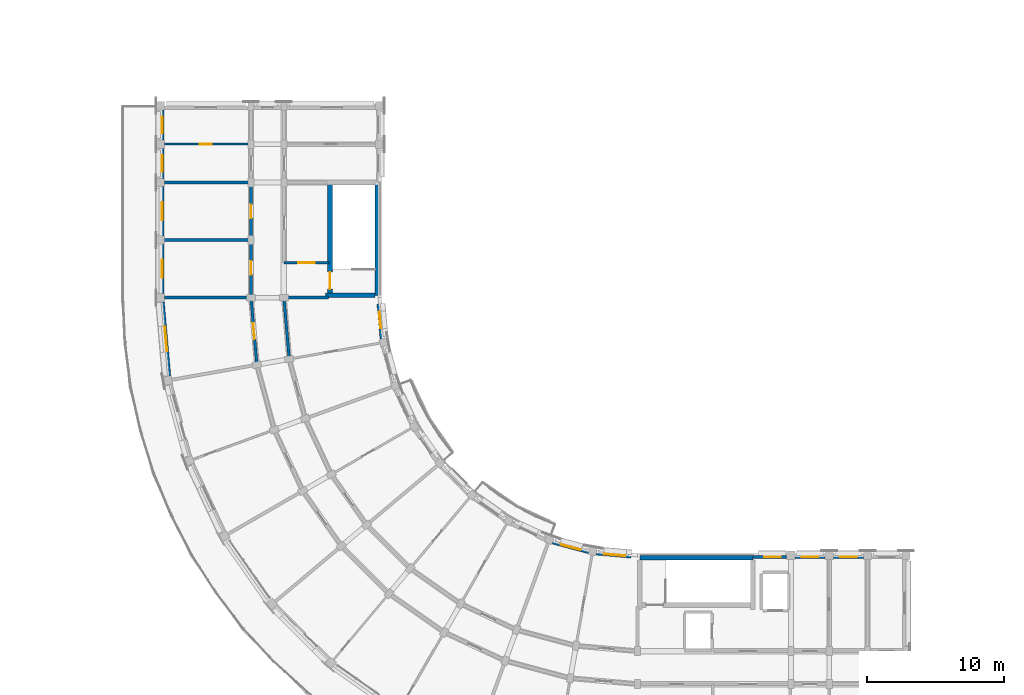
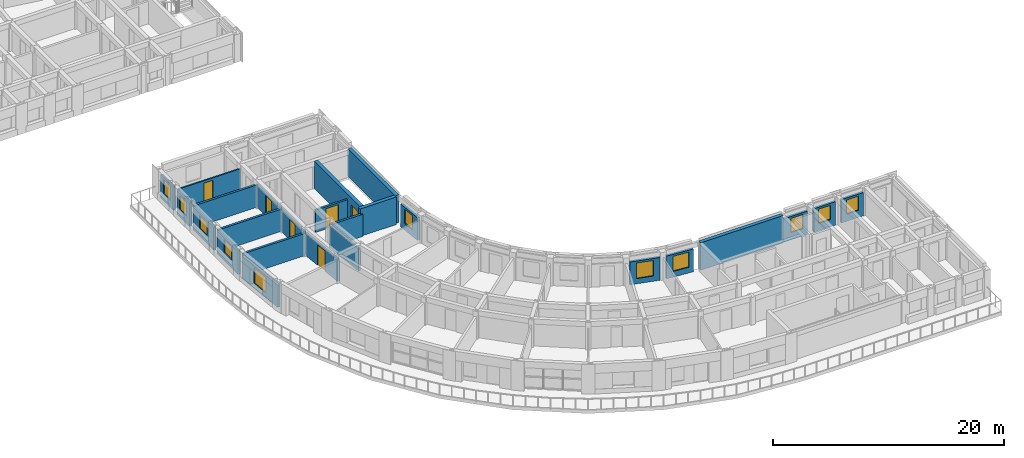
# One storey, part 19 of 53: 25 walls, 11 windows, 6 doors, 17 openings.
"""IFC4 building model written with IfcOpenShell, lengths in metres."""

from ifc_helpers import new_model, si_unit, direction, frame, frame_2d, origin, place, context, subcontext, project, spatial, rectangle, extrude, material, layer, layer_set, type_object, element, fill, save


model = new_model("IFC4")

# Units and contexts
model_context = context("Model", 3, precision=1e-05, world=origin(), true_north=direction((0.0, 1.0)))
body_context = subcontext(model_context, "Body", "Model", "MODEL_VIEW")
ifc_project = project(units=[si_unit("LENGTHUNIT", "METRE"), si_unit("AREAUNIT", "SQUARE_METRE"), si_unit("VOLUMEUNIT", "CUBIC_METRE"), si_unit("PLANEANGLEUNIT", "RADIAN"), si_unit("MASSUNIT", "GRAM", prefix="KILO")], contexts=[model_context])

# Site, building, storey
site_placement = place(None, origin())
site = spatial("IfcSite", under=ifc_project, at=site_placement, CompositionType="ELEMENT")
building_placement = place(site_placement, origin())
building = spatial("IfcBuilding", under=site, at=building_placement, Name="Kiranvali Square Residences", CompositionType="ELEMENT")
storey_placement = place(building_placement, frame((0.0, 0.0, 30.75)))
storey = spatial("IfcBuildingStorey", under=building, at=storey_placement, Name="L09", CompositionType="ELEMENT", Elevation=30.75)

# Wall, opening, door
ifc_material_1 = material(Name="Autoclaved aerated concrete blockwork masonry", Category="masonry")
ifc_layer_1 = layer(ifc_material_1, 0.199951171875)
ifc_layer_set_1 = layer_set([ifc_layer_1], Name="Autoclaved aerated concrete blockwork masonry")
wall_type_1 = type_object("IfcWallType", Name="WL-COR-200", PredefinedType="STANDARD", material=ifc_layer_set_1)
wall_1_placement = place(storey_placement, frame((25.699951171875, 50.75, 0.0), z_axis=(0.0, 0.0, 1.0), x_axis=(-1.0, 0.0, 0.0)))
wall_1 = element("IfcWall", 1, at=wall_1_placement, inside=storey, type_object=wall_type_1, Name="L09 architectural wall WL-L09-C-S3-V", PredefinedType="STANDARD", context=body_context, shape_type="SweptSolid", body=[
    extrude(rectangle(XDim=3.300048828125, YDim=0.199951171875, at=frame_2d((1.64990234375, 0.0))), origin(), (0.0, 0.0, 1.0), 2.35205078125),
])
opening_1_placement = place(wall_1_placement, frame((1.0400390625, 0.0, 0.0)))
opening_1 = element("IfcOpeningElement", 2, at=opening_1_placement, cuts=wall_1, Name="Opening FD-COR-60", PredefinedType="OPENING", context=body_context, shape_type="SweptSolid", body=[
    extrude(rectangle(XDim=1.219970703125, YDim=2.14990234375, at=frame_2d((0.60986328125, 1.074951171875))), frame((0.0, 0.10986328125, 0.0), z_axis=(0.0, -1.0, 0.0), x_axis=(1.0, 0.0, 0.0)), (0.0, 0.0, 1.0), 0.219970703125),
])
ifc_material_2 = material(Name="Fire-rated acoustic hardwood and mineral-core door assembly", Category="wood")
door_type_1 = type_object("IfcDoorType", Name="DR-FD60-1200", OperationType="NOTDEFINED", PredefinedType="DOOR", material=ifc_material_2)
door_1_placement = place(opening_1_placement, frame((1.219970703125, 0.0, 0.0), z_axis=(0.0, 0.0, 1.0), x_axis=(-1.0, 0.0, 0.0)))
door_1 = element("IfcDoor", 3, at=door_1_placement, inside=storey, type_object=door_type_1, Name="L09 door DR-L09-2264 (DR-FD60-1200)", OperationType="SINGLE_SWING_RIGHT", OverallHeight=2.14990234375, OverallWidth=1.219970703125, PredefinedType="DOOR", context=body_context, shape_type="SweptSolid", body=[
    extrude(rectangle(XDim=1.219970703125, YDim=2.14990234375, at=frame_2d((0.60986328125, 1.074951171875))), frame((0.0, 0.02490234375, 0.0), z_axis=(0.0, -1.0, 0.0), x_axis=(1.0, 0.0, 0.0)), (0.0, 0.0, 1.0), 0.050048828125),
])
fill(opening_1, door_1)

# Wall
wall_2_placement = place(storey_placement, frame((22.7919921875, 43.719970703125, 0.0), z_axis=(0.0, 0.0, 1.0), x_axis=(-0.087187153726, 0.996191949488, 0.0)))
element("IfcWall", 4, at=wall_2_placement, inside=storey, type_object=wall_type_1, Name="L09 architectural wall WL-L09-C-CCI-8", PredefinedType="STANDARD", context=body_context, shape_type="SweptSolid", body=[
    extrude(rectangle(XDim=4.4970703125, YDim=0.199951171875, at=frame_2d((2.24853515625, 0.0))), origin(), (0.0, 0.0, 1.0), 2.35205078125),
])

# Wall, opening, door
wall_3_placement = place(storey_placement, frame((20.428466796875, 43.30322265625, 0.0), z_axis=(0.0, 0.0, 1.0), x_axis=(-0.087167566415, 0.996193663584, 0.0)))
wall_3 = element("IfcWall", 5, at=wall_3_placement, inside=storey, type_object=wall_type_1, Name="L09 architectural wall WL-L09-C-CCO-8", PredefinedType="STANDARD", context=body_context, shape_type="SweptSolid", body=[
    extrude(rectangle(XDim=4.91552734375, YDim=0.199951171875, at=frame_2d((2.457763671875, 0.0))), origin(), (0.0, 0.0, 1.0), 2.35205078125),
])
opening_2_placement = place(wall_3_placement, frame((1.8876953125, 0.0, 0.0)))
opening_2 = element("IfcOpeningElement", 6, at=opening_2_placement, cuts=wall_3, Name="Opening FD-APT-60D", PredefinedType="OPENING", context=body_context, shape_type="SweptSolid", body=[
    extrude(rectangle(XDim=1.139892578125, YDim=2.14990234375, at=frame_2d((0.56982421875, 1.074951171875))), frame((0.0, 0.10986328125, 0.0), z_axis=(0.0, -1.0, 0.0), x_axis=(1.0, 0.0, 0.0)), (0.0, 0.0, 1.0), 0.219970703125),
])
door_type_2 = type_object("IfcDoorType", Name="DR-APT-1140", OperationType="NOTDEFINED", PredefinedType="DOOR", material=ifc_material_2)
door_2_placement = place(opening_2_placement, origin())
door_2 = element("IfcDoor", 7, at=door_2_placement, inside=storey, type_object=door_type_2, Name="L09 door DR-L09-2285 (DR-APT-1140)", OperationType="SINGLE_SWING_LEFT", OverallHeight=2.14990234375, OverallWidth=1.139892578125, PredefinedType="DOOR", context=body_context, shape_type="SweptSolid", body=[
    extrude(rectangle(XDim=1.139892578125, YDim=2.14990234375, at=frame_2d((0.56982421875, 1.074951171875))), frame((0.0, 0.02490234375, 0.0), z_axis=(0.0, -1.0, 0.0), x_axis=(1.0, 0.0, 0.0)), (0.0, 0.0, 1.0), 0.050048828125),
])
fill(opening_2, door_2)

wall_4_placement = place(storey_placement, frame((20.0, 48.35009765625, 0.0), z_axis=(0.0, 0.0, 1.0), x_axis=(0.0, 1.0, 0.0)))
wall_4 = element("IfcWall", 8, at=wall_4_placement, inside=storey, type_object=wall_type_1, Name="L09 architectural wall WL-L09-C-A2CF-C0", PredefinedType="STANDARD", context=body_context, shape_type="SweptSolid", body=[
    extrude(rectangle(XDim=4.0498046875, YDim=0.199951171875, at=frame_2d((2.02490234375, 0.0))), origin(), (0.0, 0.0, 1.0), 2.35205078125),
])
opening_3_placement = place(wall_4_placement, frame((1.52490234375, 0.0, 0.0)))
opening_3 = element("IfcOpeningElement", 9, at=opening_3_placement, cuts=wall_4, Name="Opening FD-APT-60", PredefinedType="OPENING", context=body_context, shape_type="SweptSolid", body=[
    extrude(rectangle(XDim=1.0, YDim=2.14990234375, at=frame_2d((0.5, 1.074951171875))), frame((0.0, 0.10986328125, 0.0), z_axis=(0.0, -1.0, 0.0), x_axis=(1.0, 0.0, 0.0)), (0.0, 0.0, 1.0), 0.219970703125),
])
door_type_3 = type_object("IfcDoorType", Name="DR-APT-1000", OperationType="NOTDEFINED", PredefinedType="DOOR", material=ifc_material_2)
door_3_placement = place(opening_3_placement, frame((1.0, 0.0, 0.0), z_axis=(0.0, 0.0, 1.0), x_axis=(-1.0, 0.0, 0.0)))
door_3 = element("IfcDoor", 10, at=door_3_placement, inside=storey, type_object=door_type_3, Name="L09 door DR-L09-2290 (DR-APT-1000)", OperationType="SINGLE_SWING_RIGHT", OverallHeight=2.14990234375, OverallWidth=1.0, PredefinedType="DOOR", context=body_context, shape_type="SweptSolid", body=[
    extrude(rectangle(XDim=1.0, YDim=2.14990234375, at=frame_2d((0.5, 1.074951171875))), frame((0.0, 0.02490234375, 0.0), z_axis=(0.0, -1.0, 0.0), x_axis=(1.0, 0.0, 0.0)), (0.0, 0.0, 1.0), 0.050048828125),
])
fill(opening_3, door_3)

wall_5_placement = place(storey_placement, frame((20.0, 52.39990234375, 0.0), z_axis=(0.0, 0.0, 1.0), x_axis=(0.0, 1.0, 0.0)))
wall_5 = element("IfcWall", 11, at=wall_5_placement, inside=storey, type_object=wall_type_1, Name="L09 architectural wall WL-L09-C-A2CF-C1", PredefinedType="STANDARD", context=body_context, shape_type="SweptSolid", body=[
    extrude(rectangle(XDim=4.2001953125, YDim=0.199951171875, at=frame_2d((2.10009765625, 0.0))), origin(), (0.0, 0.0, 1.0), 2.35205078125),
])
opening_4_placement = place(wall_5_placement, frame((1.60009765625, 0.0, 0.0)))
opening_4 = element("IfcOpeningElement", 12, at=opening_4_placement, cuts=wall_5, Name="Opening FD-APT-60", PredefinedType="OPENING", context=body_context, shape_type="SweptSolid", body=[
    extrude(rectangle(XDim=1.0, YDim=2.14990234375, at=frame_2d((0.5, 1.074951171875))), frame((0.0, 0.10986328125, 0.0), z_axis=(0.0, -1.0, 0.0), x_axis=(1.0, 0.0, 0.0)), (0.0, 0.0, 1.0), 0.219970703125),
])
door_4_placement = place(opening_4_placement, origin())
door_4 = element("IfcDoor", 13, at=door_4_placement, inside=storey, type_object=door_type_3, Name="L09 door DR-L09-2291 (DR-APT-1000)", OperationType="SINGLE_SWING_LEFT", OverallHeight=2.14990234375, OverallWidth=1.0, PredefinedType="DOOR", context=body_context, shape_type="SweptSolid", body=[
    extrude(rectangle(XDim=1.0, YDim=2.14990234375, at=frame_2d((0.5, 1.074951171875))), frame((0.0, 0.02490234375, 0.0), z_axis=(0.0, -1.0, 0.0), x_axis=(1.0, 0.0, 0.0)), (0.0, 0.0, 1.0), 0.050048828125),
])
fill(opening_4, door_4)

# Walls
ifc_layer_2 = layer(ifc_material_1, 0.219970703125)
ifc_layer_set_2 = layer_set([ifc_layer_2], Name="Autoclaved aerated concrete blockwork masonry")
wall_type_2 = type_object("IfcWallType", Name="WL-DEM-220", PredefinedType="STANDARD", material=ifc_layer_set_2)
wall_6_placement = place(storey_placement, frame((25.64990234375, 48.199951171875, 0.0), z_axis=(0.0, 0.0, 1.0), x_axis=(-1.0, 0.0, 0.0)))
element("IfcWall", 14, at=wall_6_placement, inside=storey, type_object=wall_type_2, Name="L09 architectural wall WL-L09-C-RADI-9", PredefinedType="STANDARD", context=body_context, shape_type="SweptSolid", body=[
    extrude(rectangle(XDim=3.199951171875, YDim=0.219970703125, at=frame_2d((1.60009765625, 0.0))), origin(), (0.0, 0.0, 1.0), 2.35205078125),
])
wall_7_placement = place(storey_placement, frame((19.89990234375, 48.199951171875, 0.0), z_axis=(0.0, 0.0, 1.0), x_axis=(-1.0, 0.0, 0.0)))
element("IfcWall", 15, at=wall_7_placement, inside=storey, type_object=wall_type_2, Name="L09 architectural wall WL-L09-C-RADO-9", PredefinedType="STANDARD", context=body_context, shape_type="SweptSolid", body=[
    extrude(rectangle(XDim=6.219970703125, YDim=0.219970703125, at=frame_2d((3.10986328125, 0.0))), origin(), (0.0, 0.0, 1.0), 2.35205078125),
])
wall_8_placement = place(storey_placement, frame((19.949951171875, 52.39990234375, 0.0), z_axis=(0.0, 0.0, 1.0), x_axis=(-1.0, 0.0, 0.0)))
element("IfcWall", 16, at=wall_8_placement, inside=storey, type_object=wall_type_2, Name="L09 architectural wall WL-L09-C-A2CF-MID", PredefinedType="STANDARD", context=body_context, shape_type="SweptSolid", body=[
    extrude(rectangle(XDim=6.329833984375, YDim=0.219970703125, at=frame_2d((3.1650390625, 0.0))), origin(), (0.0, 0.0, 1.0), 2.35205078125),
])
wall_9_placement = place(storey_placement, frame((19.89990234375, 56.60009765625, 0.0), z_axis=(0.0, 0.0, 1.0), x_axis=(-1.0, 0.0, 0.0)))
element("IfcWall", 17, at=wall_9_placement, inside=storey, type_object=wall_type_2, Name="L09 architectural wall WL-L09-C-A2TO-0", PredefinedType="STANDARD", context=body_context, shape_type="SweptSolid", body=[
    extrude(rectangle(XDim=6.219970703125, YDim=0.219970703125, at=frame_2d((3.10986328125, 0.0))), origin(), (0.0, 0.0, 1.0), 2.35205078125),
])

# Wall, opening, window
ifc_material_3 = material(Name="Breathable lime-rendered clay brick masonry", Category="masonry")
ifc_layer_3 = layer(ifc_material_3, 0.25)
ifc_layer_set_3 = layer_set([ifc_layer_3], Name="Breathable lime-rendered clay brick masonry")
wall_type_3 = type_object("IfcWallType", Name="WL-EXT-250", PredefinedType="STANDARD", material=ifc_layer_set_3)
wall_10_placement = place(storey_placement, frame((14.02490234375, 42.492431640625, 0.0), z_axis=(0.0, 0.0, 1.0), x_axis=(-0.087156882352, 0.996194598389, 0.0)))
wall_10 = element("IfcWall", 18, at=wall_10_placement, inside=storey, type_object=wall_type_3, Name="L09 exterior wall C-L09-CRV-08", PredefinedType="STANDARD", context=body_context, shape_type="SweptSolid", body=[
    extrude(rectangle(XDim=5.41455078125, YDim=0.25, at=frame_2d((2.707275390625, 0.0))), origin(), (0.0, 0.0, 1.0), 2.35205078125),
])
opening_5_placement = place(wall_10_placement, frame((1.807373046875, 0.0, 0.501953125)))
opening_5 = element("IfcOpeningElement", 19, at=opening_5_placement, cuts=wall_10, Name="Opening W-04", PredefinedType="OPENING", context=body_context, shape_type="SweptSolid", body=[
    extrude(rectangle(XDim=1.800048828125, YDim=1.64990234375, at=frame_2d((0.89990234375, 0.824951171875))), frame((0.0, 0.135009765625, 0.0), z_axis=(0.0, -1.0, 0.0), x_axis=(1.0, 0.0, 0.0)), (0.0, 0.0, 1.0), 0.27001953125),
])
ifc_material_4 = material(Name="Solar-control low-e double glazing", Category="glass")
window_type_1 = type_object("IfcWindowType", Name="WIN-RES-1800x1650", PartitioningType="DOUBLE_PANEL_VERTICAL", PredefinedType="WINDOW", material=ifc_material_4)
window_1_placement = place(opening_5_placement, origin())
window_1 = element("IfcWindow", 20, at=window_1_placement, inside=storey, type_object=window_type_1, Name="L09 recessed window C-L09-CRV-08", OverallHeight=1.64990234375, OverallWidth=1.800048828125, PartitioningType="DOUBLE_PANEL_VERTICAL", PredefinedType="WINDOW", context=body_context, shape_type="SweptSolid", body=[
    extrude(rectangle(XDim=1.800048828125, YDim=1.64990234375, at=frame_2d((0.89990234375, 0.824951171875))), frame((0.0, 0.030029296875, 0.0), z_axis=(0.0, -1.0, 0.0), x_axis=(1.0, 0.0, 0.0)), (0.0, 0.0, 1.0), 0.06005859375),
])
fill(opening_5, window_1)

wall_11_placement = place(storey_placement, frame((47.750732421875, 29.313720703125, 0.0), z_axis=(0.0, 0.0, 1.0), x_axis=(-0.996188847542, 0.087222589008, 0.0)))
wall_11 = element("IfcWall", 21, at=wall_11_placement, inside=storey, type_object=wall_type_3, Name="L09 exterior wall C-L09-GDN-00", PredefinedType="STANDARD", context=body_context, shape_type="SweptSolid", body=[
    extrude(rectangle(XDim=2.558349609375, YDim=0.25, at=frame_2d((1.279296875, 0.0))), origin(), (0.0, 0.0, 1.0), 2.402099609375),
])
opening_6_placement = place(wall_11_placement, frame((0.423583984375, 0.0, 0.60205078125)))
opening_6 = element("IfcOpeningElement", 22, at=opening_6_placement, cuts=wall_11, Name="Opening W-18", PredefinedType="OPENING", context=body_context, shape_type="SweptSolid", body=[
    extrude(rectangle(XDim=1.550048828125, YDim=1.60009765625, at=frame_2d((0.77490234375, 0.800048828125))), frame((0.0, 0.135009765625, 0.0), z_axis=(0.0, -1.0, 0.0), x_axis=(1.0, 0.0, 0.0)), (0.0, 0.0, 1.0), 0.27001953125),
])
window_type_2 = type_object("IfcWindowType", Name="WIN-GDN-1550x1600", PartitioningType="DOUBLE_PANEL_VERTICAL", PredefinedType="WINDOW", material=ifc_material_4)
window_2_placement = place(opening_6_placement, origin())
window_2 = element("IfcWindow", 23, at=window_2_placement, inside=storey, type_object=window_type_2, Name="L09 recessed window C-L09-GDN-00", OverallHeight=1.60009765625, OverallWidth=1.550048828125, PartitioningType="DOUBLE_PANEL_VERTICAL", PredefinedType="WINDOW", context=body_context, shape_type="SweptSolid", body=[
    extrude(rectangle(XDim=1.550048828125, YDim=1.60009765625, at=frame_2d((0.77490234375, 0.800048828125))), frame((0.0, 0.030029296875, 0.0), z_axis=(0.0, -1.0, 0.0), x_axis=(1.0, 0.0, 0.0)), (0.0, 0.0, 1.0), 0.06005859375),
])
fill(opening_6, window_2)

wall_12_placement = place(storey_placement, frame((44.6337890625, 29.636962890625, 0.0), z_axis=(0.0, 0.0, 1.0), x_axis=(-0.965928818058, 0.258807879411, 0.0)))
wall_12 = element("IfcWall", 24, at=wall_12_placement, inside=storey, type_object=wall_type_3, Name="L09 exterior wall C-L09-GDN-01", PredefinedType="STANDARD", context=body_context, shape_type="SweptSolid", body=[
    extrude(rectangle(XDim=2.7197265625, YDim=0.25, at=frame_2d((1.35986328125, 0.0))), origin(), (0.0, 0.0, 1.0), 2.402099609375),
])
opening_7_placement = place(wall_12_placement, frame((0.60986328125, 0.0, 0.552001953125)))
opening_7 = element("IfcOpeningElement", 25, at=opening_7_placement, cuts=wall_12, Name="Opening W-05", PredefinedType="OPENING", context=body_context, shape_type="SweptSolid", body=[
    extrude(rectangle(XDim=1.5, YDim=1.64990234375, at=frame_2d((0.75, 0.824951171875))), frame((0.0, 0.135009765625, 0.0), z_axis=(0.0, -1.0, 0.0), x_axis=(1.0, 0.0, 0.0)), (0.0, 0.0, 1.0), 0.27001953125),
])
window_type_3 = type_object("IfcWindowType", Name="WIN-RES-1500x1650", PartitioningType="DOUBLE_PANEL_VERTICAL", PredefinedType="WINDOW", material=ifc_material_4)
window_3_placement = place(opening_7_placement, origin())
window_3 = element("IfcWindow", 26, at=window_3_placement, inside=storey, type_object=window_type_3, Name="L09 recessed window C-L09-GDN-01", OverallHeight=1.64990234375, OverallWidth=1.5, PartitioningType="DOUBLE_PANEL_VERTICAL", PredefinedType="WINDOW", context=body_context, shape_type="SweptSolid", body=[
    extrude(rectangle(XDim=1.5, YDim=1.64990234375, at=frame_2d((0.75, 0.824951171875))), frame((0.0, 0.030029296875, 0.0), z_axis=(0.0, -1.0, 0.0), x_axis=(1.0, 0.0, 0.0)), (0.0, 0.0, 1.0), 0.06005859375),
])
fill(opening_7, window_3)

wall_13_placement = place(storey_placement, frame((29.536865234375, 45.2021484375, 0.0), z_axis=(0.0, 0.0, 1.0), x_axis=(-0.087222589008, 0.996188847542, 0.0)))
wall_13 = element("IfcWall", 27, at=wall_13_placement, inside=storey, type_object=wall_type_3, Name="L09 exterior wall C-L09-GDN-08", PredefinedType="STANDARD", context=body_context, shape_type="SweptSolid", body=[
    extrude(rectangle(XDim=2.558349609375, YDim=0.25, at=frame_2d((1.279296875, 0.0))), origin(), (0.0, 0.0, 1.0), 2.402099609375),
])
opening_8_placement = place(wall_13_placement, frame((0.759765625, 0.0, 0.701904296875)))
opening_8 = element("IfcOpeningElement", 28, at=opening_8_placement, cuts=wall_13, Name="Opening W-06", PredefinedType="OPENING", context=body_context, shape_type="SweptSolid", body=[
    extrude(rectangle(XDim=1.199951171875, YDim=1.5, at=frame_2d((0.60009765625, 0.75))), frame((0.0, 0.135009765625, 0.0), z_axis=(0.0, -1.0, 0.0), x_axis=(1.0, 0.0, 0.0)), (0.0, 0.0, 1.0), 0.27001953125),
])
window_type_4 = type_object("IfcWindowType", Name="WIN-RES-1200x1500", PartitioningType="SINGLE_PANEL", PredefinedType="WINDOW", material=ifc_material_4)
window_4_placement = place(opening_8_placement, origin())
window_4 = element("IfcWindow", 29, at=window_4_placement, inside=storey, type_object=window_type_4, Name="L09 recessed window C-L09-GDN-08", OverallHeight=1.5, OverallWidth=1.199951171875, PartitioningType="SINGLE_PANEL", PredefinedType="WINDOW", context=body_context, shape_type="SweptSolid", body=[
    extrude(rectangle(XDim=1.199951171875, YDim=1.5, at=frame_2d((0.60009765625, 0.75))), frame((0.0, 0.030029296875, 0.0), z_axis=(0.0, -1.0, 0.0), x_axis=(1.0, 0.0, 0.0)), (0.0, 0.0, 1.0), 0.06005859375),
])
fill(opening_8, window_4)

wall_14_placement = place(storey_placement, frame((56.62841796875, 29.27490234375, 0.0), z_axis=(0.0, 0.0, 1.0), x_axis=(1.0, 0.0, 0.0)))
wall_14 = element("IfcWall", 30, at=wall_14_placement, inside=storey, type_object=wall_type_3, Name="L09 exterior wall C-L09-A1IN-0", PredefinedType="STANDARD", context=body_context, shape_type="SweptSolid", body=[
    extrude(rectangle(XDim=2.468017578125, YDim=0.25, at=frame_2d((1.23388671875, 0.0))), origin(), (0.0, 0.0, 1.0), 2.451904296875),
])
opening_9_placement = place(wall_14_placement, frame((0.821533203125, 0.0, 0.751953125)))
opening_9 = element("IfcOpeningElement", 31, at=opening_9_placement, cuts=wall_14, Name="Opening W-06", PredefinedType="OPENING", context=body_context, shape_type="SweptSolid", body=[
    extrude(rectangle(XDim=1.199951171875, YDim=1.5, at=frame_2d((0.60009765625, 0.75))), frame((0.0, 0.135009765625, 0.0), z_axis=(0.0, -1.0, 0.0), x_axis=(1.0, 0.0, 0.0)), (0.0, 0.0, 1.0), 0.27001953125),
])
window_5_placement = place(opening_9_placement, origin())
window_5 = element("IfcWindow", 32, at=window_5_placement, inside=storey, type_object=window_type_4, Name="L09 recessed window C-L09-A1IN-0", OverallHeight=1.5, OverallWidth=1.199951171875, PartitioningType="SINGLE_PANEL", PredefinedType="WINDOW", context=body_context, shape_type="SweptSolid", body=[
    extrude(rectangle(XDim=1.199951171875, YDim=1.5, at=frame_2d((0.60009765625, 0.75))), frame((0.0, 0.030029296875, 0.0), z_axis=(0.0, -1.0, 0.0), x_axis=(1.0, 0.0, 0.0)), (0.0, 0.0, 1.0), 0.06005859375),
])
fill(opening_9, window_5)

wall_15_placement = place(storey_placement, frame((59.70361328125, 29.27490234375, 0.0), z_axis=(0.0, 0.0, 1.0), x_axis=(1.0, 0.0, 0.0)))
wall_15 = element("IfcWall", 33, at=wall_15_placement, inside=storey, type_object=wall_type_3, Name="L09 exterior wall C-L09-A1I-0", PredefinedType="STANDARD", context=body_context, shape_type="SweptSolid", body=[
    extrude(rectangle(XDim=2.19287109375, YDim=0.25, at=frame_2d((1.096435546875, 0.0))), origin(), (0.0, 0.0, 1.0), 2.451904296875),
])
opening_10_placement = place(wall_15_placement, frame((0.49658203125, 0.0, 0.751953125)))
opening_10 = element("IfcOpeningElement", 34, at=opening_10_placement, cuts=wall_15, Name="Opening W-06", PredefinedType="OPENING", context=body_context, shape_type="SweptSolid", body=[
    extrude(rectangle(XDim=1.199951171875, YDim=1.5, at=frame_2d((0.60009765625, 0.75))), frame((0.0, 0.135009765625, 0.0), z_axis=(0.0, -1.0, 0.0), x_axis=(1.0, 0.0, 0.0)), (0.0, 0.0, 1.0), 0.27001953125),
])
window_6_placement = place(opening_10_placement, origin())
window_6 = element("IfcWindow", 35, at=window_6_placement, inside=storey, type_object=window_type_4, Name="L09 recessed window C-L09-A1I-0", OverallHeight=1.5, OverallWidth=1.199951171875, PartitioningType="SINGLE_PANEL", PredefinedType="WINDOW", context=body_context, shape_type="SweptSolid", body=[
    extrude(rectangle(XDim=1.199951171875, YDim=1.5, at=frame_2d((0.60009765625, 0.75))), frame((0.0, 0.030029296875, 0.0), z_axis=(0.0, -1.0, 0.0), x_axis=(1.0, 0.0, 0.0)), (0.0, 0.0, 1.0), 0.06005859375),
])
fill(opening_10, window_6)

wall_16_placement = place(storey_placement, frame((62.50341796875, 29.27490234375, 0.0), z_axis=(0.0, 0.0, 1.0), x_axis=(1.0, 0.0, 0.0)))
wall_16 = element("IfcWall", 36, at=wall_16_placement, inside=storey, type_object=wall_type_3, Name="L09 exterior wall C-L09-A1I-1", PredefinedType="STANDARD", context=body_context, shape_type="SweptSolid", body=[
    extrude(rectangle(XDim=2.193115234375, YDim=0.25, at=frame_2d((1.0966796875, 0.0))), origin(), (0.0, 0.0, 1.0), 2.451904296875),
])
opening_11_placement = place(wall_16_placement, frame((0.49658203125, 0.0, 0.751953125)))
opening_11 = element("IfcOpeningElement", 37, at=opening_11_placement, cuts=wall_16, Name="Opening W-06", PredefinedType="OPENING", context=body_context, shape_type="SweptSolid", body=[
    extrude(rectangle(XDim=1.199951171875, YDim=1.5, at=frame_2d((0.60009765625, 0.75))), frame((0.0, 0.135009765625, 0.0), z_axis=(0.0, -1.0, 0.0), x_axis=(1.0, 0.0, 0.0)), (0.0, 0.0, 1.0), 0.27001953125),
])
window_7_placement = place(opening_11_placement, origin())
window_7 = element("IfcWindow", 38, at=window_7_placement, inside=storey, type_object=window_type_4, Name="L09 recessed window C-L09-A1I-1", OverallHeight=1.5, OverallWidth=1.199951171875, PartitioningType="SINGLE_PANEL", PredefinedType="WINDOW", context=body_context, shape_type="SweptSolid", body=[
    extrude(rectangle(XDim=1.199951171875, YDim=1.5, at=frame_2d((0.60009765625, 0.75))), frame((0.0, 0.030029296875, 0.0), z_axis=(0.0, -1.0, 0.0), x_axis=(1.0, 0.0, 0.0)), (0.0, 0.0, 1.0), 0.06005859375),
])
fill(opening_11, window_7)

wall_17_placement = place(storey_placement, frame((13.52490234375, 48.50341796875, 0.0), z_axis=(0.0, 0.0, 1.0), x_axis=(0.0, 1.0, 0.0)))
wall_17 = element("IfcWall", 39, at=wall_17_placement, inside=storey, type_object=wall_type_3, Name="L09 exterior wall C-L09-A2O-0", PredefinedType="STANDARD", context=body_context, shape_type="SweptSolid", body=[
    extrude(rectangle(XDim=3.593017578125, YDim=0.25, at=frame_2d((1.79638671875, 0.0))), origin(), (0.0, 0.0, 1.0), 2.451904296875),
])
opening_12_placement = place(wall_17_placement, frame((1.146484375, 0.0, 0.85205078125)))
opening_12 = element("IfcOpeningElement", 40, at=opening_12_placement, cuts=wall_17, Name="Opening W-23", PredefinedType="OPENING", context=body_context, shape_type="SweptSolid", body=[
    extrude(rectangle(XDim=1.300048828125, YDim=1.39990234375, at=frame_2d((0.64990234375, 0.699951171875))), frame((0.0, 0.135009765625, 0.0), z_axis=(0.0, -1.0, 0.0), x_axis=(1.0, 0.0, 0.0)), (0.0, 0.0, 1.0), 0.27001953125),
])
window_type_5 = type_object("IfcWindowType", Name="WIN-COR-1300x1400", PartitioningType="DOUBLE_PANEL_HORIZONTAL", PredefinedType="WINDOW", material=ifc_material_4)
window_8_placement = place(opening_12_placement, origin())
window_8 = element("IfcWindow", 41, at=window_8_placement, inside=storey, type_object=window_type_5, Name="L09 recessed window C-L09-A2O-0", OverallHeight=1.39990234375, OverallWidth=1.300048828125, PartitioningType="DOUBLE_PANEL_HORIZONTAL", PredefinedType="WINDOW", context=body_context, shape_type="SweptSolid", body=[
    extrude(rectangle(XDim=1.300048828125, YDim=1.39990234375, at=frame_2d((0.64990234375, 0.699951171875))), frame((0.0, 0.030029296875, 0.0), z_axis=(0.0, -1.0, 0.0), x_axis=(1.0, 0.0, 0.0)), (0.0, 0.0, 1.0), 0.06005859375),
])
fill(opening_12, window_8)

wall_18_placement = place(storey_placement, frame((13.52490234375, 52.70361328125, 0.0), z_axis=(0.0, 0.0, 1.0), x_axis=(0.0, 1.0, 0.0)))
wall_18 = element("IfcWall", 42, at=wall_18_placement, inside=storey, type_object=wall_type_3, Name="L09 exterior wall C-L09-A2O-1", PredefinedType="STANDARD", context=body_context, shape_type="SweptSolid", body=[
    extrude(rectangle(XDim=3.5927734375, YDim=0.25, at=frame_2d((1.79638671875, 0.0))), origin(), (0.0, 0.0, 1.0), 2.451904296875),
])
opening_13_placement = place(wall_18_placement, frame((1.146484375, 0.0, 0.85205078125)))
opening_13 = element("IfcOpeningElement", 43, at=opening_13_placement, cuts=wall_18, Name="Opening W-23", PredefinedType="OPENING", context=body_context, shape_type="SweptSolid", body=[
    extrude(rectangle(XDim=1.300048828125, YDim=1.39990234375, at=frame_2d((0.64990234375, 0.699951171875))), frame((0.0, 0.135009765625, 0.0), z_axis=(0.0, -1.0, 0.0), x_axis=(1.0, 0.0, 0.0)), (0.0, 0.0, 1.0), 0.27001953125),
])
window_9_placement = place(opening_13_placement, origin())
window_9 = element("IfcWindow", 44, at=window_9_placement, inside=storey, type_object=window_type_5, Name="L09 recessed window C-L09-A2O-1", OverallHeight=1.39990234375, OverallWidth=1.300048828125, PartitioningType="DOUBLE_PANEL_HORIZONTAL", PredefinedType="WINDOW", context=body_context, shape_type="SweptSolid", body=[
    extrude(rectangle(XDim=1.300048828125, YDim=1.39990234375, at=frame_2d((0.64990234375, 0.699951171875))), frame((0.0, 0.030029296875, 0.0), z_axis=(0.0, -1.0, 0.0), x_axis=(1.0, 0.0, 0.0)), (0.0, 0.0, 1.0), 0.06005859375),
])
fill(opening_13, window_9)

wall_19_placement = place(storey_placement, frame((13.52490234375, 56.903564453125, 0.0), z_axis=(0.0, 0.0, 1.0), x_axis=(0.0, 1.0, 0.0)))
wall_19 = element("IfcWall", 45, at=wall_19_placement, inside=storey, type_object=wall_type_3, Name="L09 exterior wall C-L09-A2O-2", PredefinedType="STANDARD", context=body_context, shape_type="SweptSolid", body=[
    extrude(rectangle(XDim=2.19287109375, YDim=0.25, at=frame_2d((1.096435546875, 0.0))), origin(), (0.0, 0.0, 1.0), 2.451904296875),
])
opening_14_placement = place(wall_19_placement, frame((0.49658203125, 0.0, 0.751953125)))
opening_14 = element("IfcOpeningElement", 46, at=opening_14_placement, cuts=wall_19, Name="Opening W-06", PredefinedType="OPENING", context=body_context, shape_type="SweptSolid", body=[
    extrude(rectangle(XDim=1.199951171875, YDim=1.5, at=frame_2d((0.60009765625, 0.75))), frame((0.0, 0.135009765625, 0.0), z_axis=(0.0, -1.0, 0.0), x_axis=(1.0, 0.0, 0.0)), (0.0, 0.0, 1.0), 0.27001953125),
])
window_10_placement = place(opening_14_placement, origin())
window_10 = element("IfcWindow", 47, at=window_10_placement, inside=storey, type_object=window_type_4, Name="L09 recessed window C-L09-A2O-2", OverallHeight=1.5, OverallWidth=1.199951171875, PartitioningType="SINGLE_PANEL", PredefinedType="WINDOW", context=body_context, shape_type="SweptSolid", body=[
    extrude(rectangle(XDim=1.199951171875, YDim=1.5, at=frame_2d((0.60009765625, 0.75))), frame((0.0, 0.030029296875, 0.0), z_axis=(0.0, -1.0, 0.0), x_axis=(1.0, 0.0, 0.0)), (0.0, 0.0, 1.0), 0.06005859375),
])
fill(opening_14, window_10)

wall_20_placement = place(storey_placement, frame((13.52490234375, 59.70361328125, 0.0), z_axis=(0.0, 0.0, 1.0), x_axis=(0.0, 1.0, 0.0)))
wall_20 = element("IfcWall", 48, at=wall_20_placement, inside=storey, type_object=wall_type_3, Name="L09 exterior wall C-L09-A2O-3", PredefinedType="STANDARD", context=body_context, shape_type="SweptSolid", body=[
    extrude(rectangle(XDim=2.19287109375, YDim=0.25, at=frame_2d((1.096435546875, 0.0))), origin(), (0.0, 0.0, 1.0), 2.451904296875),
])
opening_15_placement = place(wall_20_placement, frame((0.49658203125, 0.0, 0.751953125)))
opening_15 = element("IfcOpeningElement", 49, at=opening_15_placement, cuts=wall_20, Name="Opening W-06", PredefinedType="OPENING", context=body_context, shape_type="SweptSolid", body=[
    extrude(rectangle(XDim=1.199951171875, YDim=1.5, at=frame_2d((0.60009765625, 0.75))), frame((0.0, 0.135009765625, 0.0), z_axis=(0.0, -1.0, 0.0), x_axis=(1.0, 0.0, 0.0)), (0.0, 0.0, 1.0), 0.27001953125),
])
window_11_placement = place(opening_15_placement, origin())
window_11 = element("IfcWindow", 50, at=window_11_placement, inside=storey, type_object=window_type_4, Name="L09 recessed window C-L09-A2O-3", OverallHeight=1.5, OverallWidth=1.199951171875, PartitioningType="SINGLE_PANEL", PredefinedType="WINDOW", context=body_context, shape_type="SweptSolid", body=[
    extrude(rectangle(XDim=1.199951171875, YDim=1.5, at=frame_2d((0.60009765625, 0.75))), frame((0.0, 0.030029296875, 0.0), z_axis=(0.0, -1.0, 0.0), x_axis=(1.0, 0.0, 0.0)), (0.0, 0.0, 1.0), 0.06005859375),
])
fill(opening_15, window_11)

# Wall, opening, door
ifc_material_5 = material(Name="Acoustic gypsum board drylined partition", Category="gypsum")
ifc_layer_4 = layer(ifc_material_5, 0.14990234375)
ifc_layer_set_4 = layer_set([ifc_layer_4], Name="Acoustic gypsum board drylined partition")
wall_type_4 = type_object("IfcWallType", Name="WL-PRT-150", PredefinedType="PARTITIONING", material=ifc_layer_set_4)
wall_21_placement = place(storey_placement, frame((19.89990234375, 59.39990234375, 0.0), z_axis=(0.0, 0.0, 1.0), x_axis=(-1.0, 0.0, 0.0)))
wall_21 = element("IfcWall", 51, at=wall_21_placement, inside=storey, type_object=wall_type_4, Name="L09 architectural wall WL-L09-C-A2TO-1", PredefinedType="PARTITIONING", context=body_context, shape_type="SweptSolid", body=[
    extrude(rectangle(XDim=6.219970703125, YDim=0.14990234375, at=frame_2d((3.10986328125, 0.0))), origin(), (0.0, 0.0, 1.0), 2.35205078125),
])
opening_16_placement = place(wall_21_placement, frame((2.750244140625, 0.0, 0.0)))
opening_16 = element("IfcOpeningElement", 52, at=opening_16_placement, cuts=wall_21, Name="Opening ID-1", PredefinedType="OPENING", context=body_context, shape_type="SweptSolid", body=[
    extrude(rectangle(XDim=0.89990234375, YDim=2.10009765625, at=frame_2d((0.449951171875, 1.050048828125))), frame((0.0, 0.0849609375, 0.0), z_axis=(0.0, -1.0, 0.0), x_axis=(1.0, 0.0, 0.0)), (0.0, 0.0, 1.0), 0.169921875),
])
ifc_material_6 = material(Name="Solid seasoned teak hardwood joinery", Category="wood")
door_type_4 = type_object("IfcDoorType", Name="DR-INT-900", OperationType="NOTDEFINED", PredefinedType="DOOR", material=ifc_material_6)
door_5_placement = place(opening_16_placement, origin())
door_5 = element("IfcDoor", 53, at=door_5_placement, inside=storey, type_object=door_type_4, Name="L09 door DR-L09-2295 (DR-INT-900)", OperationType="SINGLE_SWING_LEFT", OverallHeight=2.10009765625, OverallWidth=0.89990234375, PredefinedType="DOOR", context=body_context, shape_type="SweptSolid", body=[
    extrude(rectangle(XDim=0.89990234375, YDim=2.10009765625, at=frame_2d((0.449951171875, 1.050048828125))), frame((0.0, 0.02490234375, 0.0), z_axis=(0.0, -1.0, 0.0), x_axis=(1.0, 0.0, 0.0)), (0.0, 0.0, 1.0), 0.050048828125),
])
fill(opening_16, door_5)

# Walls
ifc_material_7 = material(Name="Concrete M45 (45 MPa)", Category="concrete")
ifc_layer_5 = layer(ifc_material_7, 0.320068359375)
ifc_layer_set_5 = layer_set([ifc_layer_5], Name="Concrete M45 (45 MPa)")
wall_type_5 = type_object("IfcWallType", Name="WL-SHR-320", PredefinedType="SHEAR", material=ifc_layer_set_5)
for number, where, z_axis, x_axis, name in (
    (54, (48.375, 29.22509765625, 0.0), (0.0, 0.0, 1.0), (1.0, 0.0, 0.0), "Block C core shear wall SW-C2-OUT-L09"),
    (55, (29.22509765625, 48.375, 0.0), (0.0, 0.0, 1.0), (0.0, 1.0, 0.0), "Block C core shear wall SW-C3-OUT-L09"),
):
    element("IfcWall", number, at=place(storey_placement, frame(where, z_axis=z_axis, x_axis=x_axis)), inside=storey, type_object=wall_type_5, Name=name, PredefinedType="SHEAR", context=body_context, shape_type="SweptSolid", body=[
        extrude(rectangle(XDim=8.25, YDim=0.35009765625, at=frame_2d((4.125, 0.0))), origin(), (0.0, 0.0, 1.0), 2.909912109375),
    ])

# Wall, opening, door
wall_22_placement = place(storey_placement, frame((25.77490234375, 48.550048828125, 0.0), z_axis=(0.0, 0.0, 1.0), x_axis=(0.0, 1.0, 0.0)))
wall_22 = element("IfcWall", 56, at=wall_22_placement, inside=storey, type_object=wall_type_5, Name="Block C core shear wall SW-C3-IN-L09", PredefinedType="SHEAR", context=body_context, shape_type="SweptSolid", body=[
    extrude(rectangle(XDim=7.89990234375, YDim=0.35009765625, at=frame_2d((3.949951171875, 0.0))), origin(), (0.0, 0.0, 1.0), 2.909912109375),
])
opening_17_placement = place(wall_22_placement, frame((0.280029296875, 0.0, 0.0)))
opening_17 = element("IfcOpeningElement", 57, at=opening_17_placement, cuts=wall_22, Name="Opening FD-ST-120", PredefinedType="OPENING", context=body_context, shape_type="SweptSolid", body=[
    extrude(rectangle(XDim=1.239990234375, YDim=2.14990234375, at=frame_2d((0.6201171875, 1.074951171875))), frame((0.0, 0.18505859375, 0.0), z_axis=(0.0, -1.0, 0.0), x_axis=(1.0, 0.0, 0.0)), (0.0, 0.0, 1.0), 0.3701171875),
])
door_type_5 = type_object("IfcDoorType", Name="DR-FD120-1200", OperationType="NOTDEFINED", PredefinedType="DOOR", material=ifc_material_2)
door_6_placement = place(opening_17_placement, frame((1.239990234375, 0.0, 0.0), z_axis=(0.0, 0.0, 1.0), x_axis=(-1.0, 0.0, 0.0)))
door_6 = element("IfcDoor", 58, at=door_6_placement, inside=storey, type_object=door_type_5, Name="L09 door DR-L09-2260 (DR-FD120-1200)", OperationType="SINGLE_SWING_RIGHT", OverallHeight=2.14990234375, OverallWidth=1.239990234375, PredefinedType="DOOR", context=body_context, shape_type="SweptSolid", body=[
    extrude(rectangle(XDim=1.239990234375, YDim=2.14990234375, at=frame_2d((0.6201171875, 1.074951171875))), frame((0.0, 0.02490234375, 0.0), z_axis=(0.0, -1.0, 0.0), x_axis=(1.0, 0.0, 0.0)), (0.0, 0.0, 1.0), 0.050048828125),
])
fill(opening_17, door_6)

# Wall
wall_23_placement = place(storey_placement, frame((29.050048828125, 48.375, 0.0), z_axis=(0.0, 0.0, 1.0), x_axis=(-1.0, 0.0, 0.0)))
element("IfcWall", 59, at=wall_23_placement, inside=storey, type_object=wall_type_5, Name="Block C core shear wall SW-C3-NEAR-L09", PredefinedType="SHEAR", context=body_context, shape_type="SweptSolid", body=[
    extrude(rectangle(XDim=3.60009765625, YDim=0.35009765625, at=frame_2d((1.800048828125, 0.0))), origin(), (0.0, 0.0, 1.0), 2.909912109375),
])

save(model, "model.ifc")
